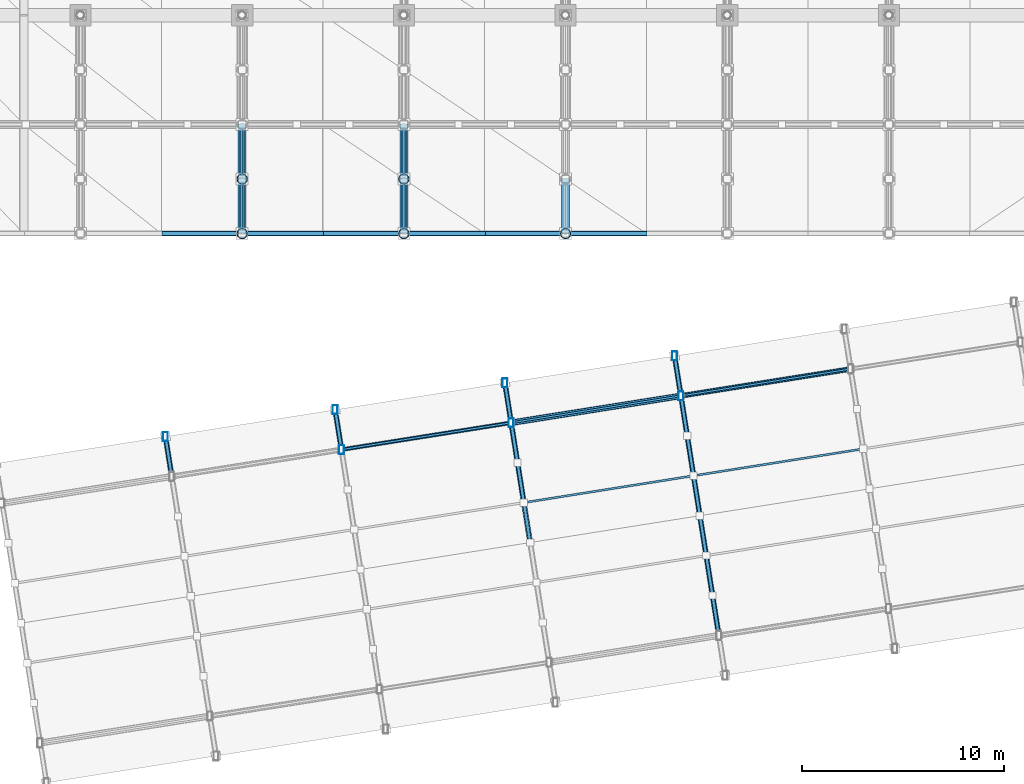
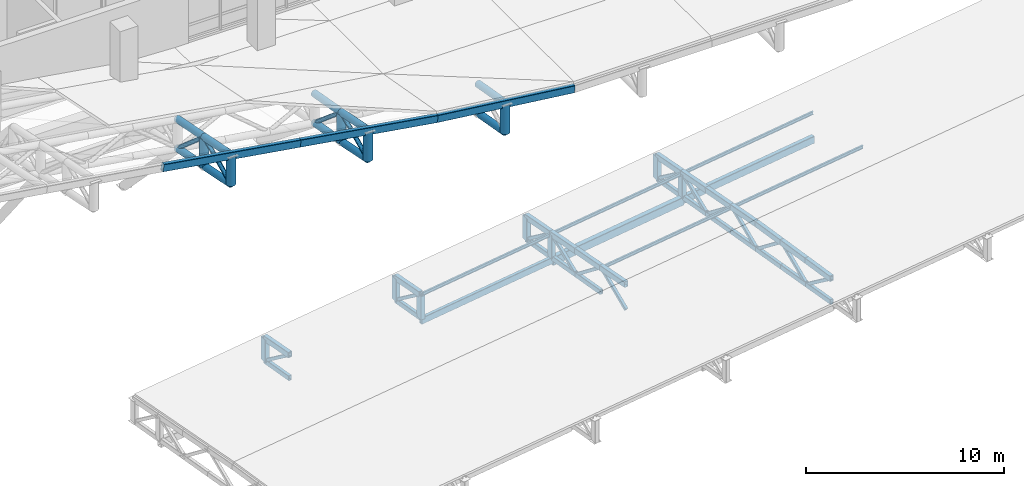
# One storey, part 20 of 137: 69 members, 6 beams.
"""IFC4 building model written with IfcOpenShell, lengths in metres."""

from ifc_helpers import new_model, si_unit, direction, frame, origin, origin_2d, place, context, subcontext, project, spatial, hollow_rectangle, hollow_circle, i_section, extrude, material, material_profile, profile_set, type_object, element, save


model = new_model("IFC4")

# Units and contexts
model_context = context("Model", 3, precision=1e-05, world=origin(), true_north=direction((0.0, 1.0)))
body_context = subcontext(model_context, "Body", "Model", "MODEL_VIEW")
ifc_project = project(units=[si_unit("LENGTHUNIT", "METRE"), si_unit("AREAUNIT", "SQUARE_METRE"), si_unit("VOLUMEUNIT", "CUBIC_METRE"), si_unit("PLANEANGLEUNIT", "RADIAN"), si_unit("MASSUNIT", "GRAM", prefix="KILO")], contexts=[model_context])

# Site, building, storey
site_placement = place(None, origin())
site = spatial("IfcSite", under=ifc_project, at=site_placement, CompositionType="ELEMENT")
building_placement = place(site_placement, origin())
building = spatial("IfcBuilding", under=site, at=building_placement, Name="Khorjan Park Terminus", CompositionType="ELEMENT")
storey_placement = place(building_placement, frame((0.0, 0.0, 11.4)))
storey = spatial("IfcBuildingStorey", under=building, at=storey_placement, Name="L02", CompositionType="ELEMENT", Elevation=11.4)

# Members
ifc_material = material(Name="Steel S355", Category="steel")
ifc_material_profile_1 = material_profile(ifc_material, hollow_rectangle(XDim=0.18, YDim=0.18, WallThickness=0.01, InnerFilletRadius=0.01, OuterFilletRadius=0.02, at=origin_2d()), Name="SHS 180x180x10")
ifc_profile_set_1 = profile_set([ifc_material_profile_1], Name="Steel S355")
member_type_1 = type_object("IfcMemberType", Name="MB-BR-SHS180E", PredefinedType="BRACE", material=ifc_profile_set_1)
member_1_placement = place(storey_placement, frame((60.5181, 3.182, -0.56), z_axis=(-0.126927587183, 0.801534728138, -0.584321373219), x_axis=(-0.987692727277, -0.156406766108, 0.0)))
element("IfcMember", 1, at=member_1_placement, inside=storey, type_object=member_type_1, Name="Arrival canopy flat truss web brace TB-S18 (2)", PredefinedType="BRACE", context=body_context, shape_type="SweptSolid", body=[
    extrude(hollow_rectangle(XDim=0.18, YDim=0.18, WallThickness=0.01, InnerFilletRadius=0.01, OuterFilletRadius=0.02, at=origin_2d()), origin(), (0.0, 0.0, 1.0), 2.4644),
])
member_2_placement = place(storey_placement, frame((68.9135, 4.5116, -0.56), z_axis=(-0.126963381588, 0.801545107028, -0.584299359178), x_axis=(-0.987686225577, -0.156447818155, 0.0)))
element("IfcMember", 2, at=member_2_placement, inside=storey, type_object=member_type_1, Name="Arrival canopy flat truss web brace TB-S18 (3)", PredefinedType="BRACE", context=body_context, shape_type="SweptSolid", body=[
    extrude(hollow_rectangle(XDim=0.18, YDim=0.18, WallThickness=0.01, InnerFilletRadius=0.01, OuterFilletRadius=0.02, at=origin_2d()), origin(), (0.0, 0.0, 1.0), 2.4645),
])
for number, where, z_axis, x_axis, name in (
    (3, (78.2474, -0.0848, -2.0), (-0.124519283718, 0.78636634609, 0.605080918324), (-0.987693950393, -0.156399042059, 0.0), "Arrival canopy flat truss web brace TB-S18 (4)"),
    (4, (77.9346, 1.8906, -0.48), (-0.124558474158, 0.786362447589, -0.605077918566), (-0.987686225577, -0.156447818155, 0.0), "Arrival canopy flat truss web brace TB-S18 (4)"),
):
    element("IfcMember", number, at=place(storey_placement, frame(where, z_axis=z_axis, x_axis=x_axis)), inside=storey, type_object=member_type_1, Name=name, PredefinedType="BRACE", context=body_context, shape_type="SweptSolid", body=[
        extrude(hollow_rectangle(XDim=0.18, YDim=0.18, WallThickness=0.01, InnerFilletRadius=0.01, OuterFilletRadius=0.02, at=origin_2d()), origin(), (0.0, 0.0, 1.0), 2.5121),
    ])
member_3_placement = place(storey_placement, frame((77.6217, 3.866, -2.0), z_axis=(-0.126967511013, 0.801530599245, 0.584318363242), x_axis=(-0.987685001707, -0.156455544492, 0.0)))
element("IfcMember", 5, at=member_3_placement, inside=storey, type_object=member_type_1, Name="Arrival canopy flat truss web brace TB-S18 (4)", PredefinedType="BRACE", context=body_context, shape_type="SweptSolid", body=[
    extrude(hollow_rectangle(XDim=0.18, YDim=0.18, WallThickness=0.01, InnerFilletRadius=0.01, OuterFilletRadius=0.02, at=origin_2d()), origin(), (0.0, 0.0, 1.0), 2.4644),
])
member_4_placement = place(storey_placement, frame((77.3088, 5.8413, -0.56), z_axis=(-0.126923459014, 0.801549235728, -0.584302368861), x_axis=(-0.987693950393, -0.156399042059, 0.0)))
element("IfcMember", 6, at=member_4_placement, inside=storey, type_object=member_type_1, Name="Arrival canopy flat truss web brace TB-S18 (4)", PredefinedType="BRACE", context=body_context, shape_type="SweptSolid", body=[
    extrude(hollow_rectangle(XDim=0.18, YDim=0.18, WallThickness=0.01, InnerFilletRadius=0.01, OuterFilletRadius=0.02, at=origin_2d()), origin(), (0.0, 0.0, 1.0), 2.4645),
])
member_5_placement = place(storey_placement, frame((87.5814, -4.6812, -0.56), z_axis=(-0.126967511013, 0.801530599245, -0.584318363242), x_axis=(-0.987685001707, -0.156455544492, 0.0)))
element("IfcMember", 7, at=member_5_placement, inside=storey, type_object=member_type_1, Name="Arrival canopy flat truss web brace TB-S18 (5)", PredefinedType="BRACE", context=body_context, shape_type="SweptSolid", body=[
    extrude(hollow_rectangle(XDim=0.18, YDim=0.18, WallThickness=0.01, InnerFilletRadius=0.01, OuterFilletRadius=0.02, at=origin_2d()), origin(), (0.0, 0.0, 1.0), 2.4644),
])
for number, where, z_axis, x_axis, name in (
    (8, (87.2685, -2.7059, -2.0), (-0.124519283718, 0.78636634609, 0.605080918324), (-0.987693950393, -0.156399042059, 0.0), "Arrival canopy flat truss web brace TB-S18 (5)"),
    (9, (86.9557, -0.7305, -0.48), (-0.124558474158, 0.786362447589, -0.605077918566), (-0.987686225577, -0.156447818155, 0.0), "Arrival canopy flat truss web brace TB-S18 (5)"),
    (10, (86.6428, 1.2449, -2.0), (-0.124558474158, 0.786362447589, 0.605077918566), (-0.987686225577, -0.156447818155, 0.0), "Arrival canopy flat truss web brace TB-S18 (5)"),
    (11, (86.3299, 3.2203, -0.48), (-0.124519283718, 0.78636634609, -0.605080918324), (-0.987693950393, -0.156399042059, 0.0), "Arrival canopy flat truss web brace TB-S18 (5)"),
):
    element("IfcMember", number, at=place(storey_placement, frame(where, z_axis=z_axis, x_axis=x_axis)), inside=storey, type_object=member_type_1, Name=name, PredefinedType="BRACE", context=body_context, shape_type="SweptSolid", body=[
        extrude(hollow_rectangle(XDim=0.18, YDim=0.18, WallThickness=0.01, InnerFilletRadius=0.01, OuterFilletRadius=0.02, at=origin_2d()), origin(), (0.0, 0.0, 1.0), 2.5121),
    ])
member_6_placement = place(storey_placement, frame((86.0171, 5.1957, -2.0), z_axis=(-0.126967511013, 0.801530599245, 0.584318363242), x_axis=(-0.987685001707, -0.156455544492, 0.0)))
element("IfcMember", 12, at=member_6_placement, inside=storey, type_object=member_type_1, Name="Arrival canopy flat truss web brace TB-S18 (5)", PredefinedType="BRACE", context=body_context, shape_type="SweptSolid", body=[
    extrude(hollow_rectangle(XDim=0.18, YDim=0.18, WallThickness=0.01, InnerFilletRadius=0.01, OuterFilletRadius=0.02, at=origin_2d()), origin(), (0.0, 0.0, 1.0), 2.4644),
])
member_7_placement = place(storey_placement, frame((85.7042, 7.171, -0.56), z_axis=(-0.126963381588, 0.801545107028, -0.584299359178), x_axis=(-0.987686225577, -0.156447818155, 0.0)))
element("IfcMember", 13, at=member_7_placement, inside=storey, type_object=member_type_1, Name="Arrival canopy flat truss web brace TB-S18 (5)", PredefinedType="BRACE", context=body_context, shape_type="SweptSolid", body=[
    extrude(hollow_rectangle(XDim=0.18, YDim=0.18, WallThickness=0.01, InnerFilletRadius=0.01, OuterFilletRadius=0.02, at=origin_2d()), origin(), (0.0, 0.0, 1.0), 2.4645),
])
ifc_material_profile_2 = material_profile(ifc_material, hollow_circle(Radius=0.1222, WallThickness=0.0125, at=origin_2d()), Name="CHS 244.5x12.5")
ifc_profile_set_2 = profile_set([ifc_material_profile_2], Name="Steel S355")
member_type_2 = type_object("IfcMemberType", Name="MB-BRE-245", PredefinedType="BRACE", material=ifc_profile_set_2)
member_8_placement = place(storey_placement, frame((64.0, 15.2, 1.4768), z_axis=(0.0, 0.906376008919, 0.422471928602), x_axis=(-1.0, 0.0, 0.0)))
element("IfcMember", 14, at=member_8_placement, inside=storey, type_object=member_type_2, Name="Lower shell cantilever truss diagonal (3S)", PredefinedType="BRACE", context=body_context, shape_type="SweptSolid", body=[
    extrude(hollow_circle(Radius=0.1222, WallThickness=0.0125, at=origin_2d()), origin(), (0.0, 0.0, 1.0), 2.9789),
])
member_9_placement = place(storey_placement, frame((64.0, 17.9, 2.7353), z_axis=(0.0, 0.755481319374, -0.655170188635), x_axis=(-1.0, 0.0, 0.0)))
element("IfcMember", 15, at=member_9_placement, inside=storey, type_object=member_type_2, Name="Lower shell cantilever truss diagonal (3S)", PredefinedType="BRACE", context=body_context, shape_type="SweptSolid", body=[
    extrude(hollow_circle(Radius=0.1222, WallThickness=0.0125, at=origin_2d()), origin(), (0.0, 0.0, 1.0), 3.5739),
])
member_10_placement = place(storey_placement, frame((72.0, 15.2, 0.1947), z_axis=(0.0, 0.906376008919, 0.422471928602), x_axis=(-1.0, 0.0, 0.0)))
element("IfcMember", 16, at=member_10_placement, inside=storey, type_object=member_type_2, Name="Lower shell cantilever truss diagonal (4S)", PredefinedType="BRACE", context=body_context, shape_type="SweptSolid", body=[
    extrude(hollow_circle(Radius=0.1222, WallThickness=0.0125, at=origin_2d()), origin(), (0.0, 0.0, 1.0), 2.9789),
])
member_11_placement = place(storey_placement, frame((72.0, 17.9, 1.4532), z_axis=(0.0, 0.763904382363, -0.645329446567), x_axis=(-1.0, 0.0, 0.0)))
element("IfcMember", 17, at=member_11_placement, inside=storey, type_object=member_type_2, Name="Lower shell cantilever truss diagonal (4S)", PredefinedType="BRACE", context=body_context, shape_type="SweptSolid", body=[
    extrude(hollow_circle(Radius=0.1222, WallThickness=0.0125, at=origin_2d()), origin(), (0.0, 0.0, 1.0), 3.5345),
])
ifc_material_profile_3 = material_profile(ifc_material, hollow_rectangle(XDim=0.2, YDim=0.3, WallThickness=0.0125, InnerFilletRadius=0.0125, OuterFilletRadius=0.025, at=origin_2d()), Name="RHS 300x200x12.5")
ifc_profile_set_3 = profile_set([ifc_material_profile_3], Name="Steel S355")
member_type_3 = type_object("IfcMemberType", Name="MB-CH-RHS300E", PredefinedType="CHORD", material=ifc_profile_set_3)
member_12_placement = place(storey_placement, frame((60.5181, 3.182, -2.0), z_axis=(-0.156406766108, 0.987692727277, 0.0), x_axis=(-0.987692727277, -0.156406766108, 0.0)))
element("IfcMember", 18, at=member_12_placement, inside=storey, type_object=member_type_3, Name="Arrival canopy flat truss bottom chord TC-R30 (2)", PredefinedType="CHORD", context=body_context, shape_type="SweptSolid", body=[
    extrude(hollow_rectangle(XDim=0.2, YDim=0.3, WallThickness=0.0125, InnerFilletRadius=0.0125, OuterFilletRadius=0.025, at=origin_2d()), origin(), (0.0, 0.0, 1.0), 1.9999),
])
for number, where, z_axis, x_axis, name in (
    (19, (68.9135, 4.5116, -2.0), (-0.156447818155, 0.987686225577, 0.0), (-0.987686225577, -0.156447818155, 0.0), "Arrival canopy flat truss bottom chord TC-R30 (3)"),
    (20, (77.9346, 1.8906, -2.0), (-0.156447818155, 0.987686225577, 0.0), (-0.987686225577, -0.156447818155, 0.0), "Arrival canopy flat truss bottom chord TC-R30 (4)"),
):
    element("IfcMember", number, at=place(storey_placement, frame(where, z_axis=z_axis, x_axis=x_axis)), inside=storey, type_object=member_type_3, Name=name, PredefinedType="CHORD", context=body_context, shape_type="SweptSolid", body=[
        extrude(hollow_rectangle(XDim=0.2, YDim=0.3, WallThickness=0.0125, InnerFilletRadius=0.0125, OuterFilletRadius=0.025, at=origin_2d()), origin(), (0.0, 0.0, 1.0), 2.0),
    ])
member_13_placement = place(storey_placement, frame((77.6217, 3.866, -2.0), z_axis=(-0.156455544492, 0.987685001707, 0.0), x_axis=(-0.987685001707, -0.156455544492, 0.0)))
element("IfcMember", 21, at=member_13_placement, inside=storey, type_object=member_type_3, Name="Arrival canopy flat truss bottom chord TC-R30 (4)", PredefinedType="CHORD", context=body_context, shape_type="SweptSolid", body=[
    extrude(hollow_rectangle(XDim=0.2, YDim=0.3, WallThickness=0.0125, InnerFilletRadius=0.0125, OuterFilletRadius=0.025, at=origin_2d()), origin(), (0.0, 0.0, 1.0), 1.9999),
])
member_14_placement = place(storey_placement, frame((77.3088, 5.8413, -2.0), z_axis=(-0.156399042059, 0.987693950393, 0.0), x_axis=(-0.987693950393, -0.156399042059, 0.0)))
element("IfcMember", 22, at=member_14_placement, inside=storey, type_object=member_type_3, Name="Arrival canopy flat truss bottom chord TC-R30 (4)", PredefinedType="CHORD", context=body_context, shape_type="SweptSolid", body=[
    extrude(hollow_rectangle(XDim=0.2, YDim=0.3, WallThickness=0.0125, InnerFilletRadius=0.0125, OuterFilletRadius=0.025, at=origin_2d()), origin(), (0.0, 0.0, 1.0), 2.0),
])
member_15_placement = place(storey_placement, frame((87.5814, -4.6812, -2.0), z_axis=(-0.156455544492, 0.987685001707, 0.0), x_axis=(-0.987685001707, -0.156455544492, 0.0)))
element("IfcMember", 23, at=member_15_placement, inside=storey, type_object=member_type_3, Name="Arrival canopy flat truss bottom chord TC-R30 (5)", PredefinedType="CHORD", context=body_context, shape_type="SweptSolid", body=[
    extrude(hollow_rectangle(XDim=0.2, YDim=0.3, WallThickness=0.0125, InnerFilletRadius=0.0125, OuterFilletRadius=0.025, at=origin_2d()), origin(), (0.0, 0.0, 1.0), 1.9999),
])
for number, where, z_axis, x_axis, name in (
    (24, (87.2685, -2.7059, -2.0), (-0.156399042059, 0.987693950393, 0.0), (-0.987693950393, -0.156399042059, 0.0), "Arrival canopy flat truss bottom chord TC-R30 (5)"),
    (25, (86.9557, -0.7305, -2.0), (-0.156447818155, 0.987686225577, 0.0), (-0.987686225577, -0.156447818155, 0.0), "Arrival canopy flat truss bottom chord TC-R30 (5)"),
    (26, (86.6428, 1.2449, -2.0), (-0.156447818155, 0.987686225577, 0.0), (-0.987686225577, -0.156447818155, 0.0), "Arrival canopy flat truss bottom chord TC-R30 (5)"),
    (27, (86.3299, 3.2203, -2.0), (-0.156399042059, 0.987693950393, 0.0), (-0.987693950393, -0.156399042059, 0.0), "Arrival canopy flat truss bottom chord TC-R30 (5)"),
):
    element("IfcMember", number, at=place(storey_placement, frame(where, z_axis=z_axis, x_axis=x_axis)), inside=storey, type_object=member_type_3, Name=name, PredefinedType="CHORD", context=body_context, shape_type="SweptSolid", body=[
        extrude(hollow_rectangle(XDim=0.2, YDim=0.3, WallThickness=0.0125, InnerFilletRadius=0.0125, OuterFilletRadius=0.025, at=origin_2d()), origin(), (0.0, 0.0, 1.0), 2.0),
    ])
member_16_placement = place(storey_placement, frame((86.0171, 5.1957, -2.0), z_axis=(-0.156455544492, 0.987685001707, 0.0), x_axis=(-0.987685001707, -0.156455544492, 0.0)))
element("IfcMember", 28, at=member_16_placement, inside=storey, type_object=member_type_3, Name="Arrival canopy flat truss bottom chord TC-R30 (5)", PredefinedType="CHORD", context=body_context, shape_type="SweptSolid", body=[
    extrude(hollow_rectangle(XDim=0.2, YDim=0.3, WallThickness=0.0125, InnerFilletRadius=0.0125, OuterFilletRadius=0.025, at=origin_2d()), origin(), (0.0, 0.0, 1.0), 1.9999),
])
member_17_placement = place(storey_placement, frame((85.7042, 7.171, -2.0), z_axis=(-0.156447818155, 0.987686225577, 0.0), x_axis=(-0.987686225577, -0.156447818155, 0.0)))
element("IfcMember", 29, at=member_17_placement, inside=storey, type_object=member_type_3, Name="Arrival canopy flat truss bottom chord TC-R30 (5)", PredefinedType="CHORD", context=body_context, shape_type="SweptSolid", body=[
    extrude(hollow_rectangle(XDim=0.2, YDim=0.3, WallThickness=0.0125, InnerFilletRadius=0.0125, OuterFilletRadius=0.025, at=origin_2d()), origin(), (0.0, 0.0, 1.0), 2.0),
])
ifc_material_profile_4 = material_profile(ifc_material, hollow_rectangle(XDim=0.25, YDim=0.35, WallThickness=0.0125, InnerFilletRadius=0.0125, OuterFilletRadius=0.025, at=origin_2d()), Name="RHS 350x250x12.5")
ifc_profile_set_4 = profile_set([ifc_material_profile_4], Name="Steel S355")
member_type_4 = type_object("IfcMemberType", Name="MB-CH-RHS350E", PredefinedType="CHORD", material=ifc_profile_set_4)
member_18_placement = place(storey_placement, frame((60.5181, 3.182, -0.56), z_axis=(-0.156375491431, 0.987495230892, -0.019996865912), x_axis=(-0.987692727277, -0.156406766108, 0.0)))
element("IfcMember", 30, at=member_18_placement, inside=storey, type_object=member_type_4, Name="Arrival canopy flat truss top chord TC-R35 (2)", PredefinedType="CHORD", context=body_context, shape_type="SweptSolid", body=[
    extrude(hollow_rectangle(XDim=0.25, YDim=0.35, WallThickness=0.0125, InnerFilletRadius=0.0125, OuterFilletRadius=0.025, at=origin_2d()), origin(), (0.0, 0.0, 1.0), 2.0003),
])
for number, where, z_axis, x_axis, name in (
    (31, (68.9135, 4.5116, -0.56), (-0.156416538847, 0.98748875308, -0.019995722448), (-0.987686225577, -0.156447818155, 0.0), "Arrival canopy flat truss top chord TC-R35 (3)"),
    (32, (78.2474, -0.0848, -0.44), (-0.156367772014, 0.987496473263, -0.019995878774), (-0.987693950393, -0.156399042059, 0.0), "Arrival canopy flat truss top chord TC-R35 (4)"),
    (33, (77.9346, 1.8906, -0.48), (-0.156416538847, 0.98748875308, -0.019995722448), (-0.987686225577, -0.156447818155, 0.0), "Arrival canopy flat truss top chord TC-R35 (4)"),
):
    element("IfcMember", number, at=place(storey_placement, frame(where, z_axis=z_axis, x_axis=x_axis)), inside=storey, type_object=member_type_4, Name=name, PredefinedType="CHORD", context=body_context, shape_type="SweptSolid", body=[
        extrude(hollow_rectangle(XDim=0.25, YDim=0.35, WallThickness=0.0125, InnerFilletRadius=0.0125, OuterFilletRadius=0.025, at=origin_2d()), origin(), (0.0, 0.0, 1.0), 2.0004),
    ])
member_19_placement = place(storey_placement, frame((77.6217, 3.866, -0.52), z_axis=(-0.15642426055, 0.987487509955, -0.019996709562), x_axis=(-0.987685001707, -0.156455544492, 0.0)))
element("IfcMember", 34, at=member_19_placement, inside=storey, type_object=member_type_4, Name="Arrival canopy flat truss top chord TC-R35 (4)", PredefinedType="CHORD", context=body_context, shape_type="SweptSolid", body=[
    extrude(hollow_rectangle(XDim=0.25, YDim=0.35, WallThickness=0.0125, InnerFilletRadius=0.0125, OuterFilletRadius=0.025, at=origin_2d()), origin(), (0.0, 0.0, 1.0), 2.0003),
])
member_20_placement = place(storey_placement, frame((77.3088, 5.8413, -0.56), z_axis=(-0.156367772014, 0.987496473263, -0.019995878774), x_axis=(-0.987693950393, -0.156399042059, 0.0)))
element("IfcMember", 35, at=member_20_placement, inside=storey, type_object=member_type_4, Name="Arrival canopy flat truss top chord TC-R35 (4)", PredefinedType="CHORD", context=body_context, shape_type="SweptSolid", body=[
    extrude(hollow_rectangle(XDim=0.25, YDim=0.35, WallThickness=0.0125, InnerFilletRadius=0.0125, OuterFilletRadius=0.025, at=origin_2d()), origin(), (0.0, 0.0, 1.0), 2.0004),
])
member_21_placement = place(storey_placement, frame((87.5814, -4.6812, -0.56), z_axis=(-0.15642426055, 0.987487509955, 0.019996709562), x_axis=(-0.987685001707, -0.156455544492, 0.0)))
element("IfcMember", 36, at=member_21_placement, inside=storey, type_object=member_type_4, Name="Arrival canopy flat truss top chord TC-R35 (5)", PredefinedType="CHORD", context=body_context, shape_type="SweptSolid", body=[
    extrude(hollow_rectangle(XDim=0.25, YDim=0.35, WallThickness=0.0125, InnerFilletRadius=0.0125, OuterFilletRadius=0.025, at=origin_2d()), origin(), (0.0, 0.0, 1.0), 2.0003),
])
for number, where, z_axis, x_axis, name in (
    (37, (87.2685, -2.7059, -0.52), (-0.156367772014, 0.987496473263, 0.019995878774), (-0.987693950393, -0.156399042059, 0.0), "Arrival canopy flat truss top chord TC-R35 (5)"),
    (38, (86.9557, -0.7305, -0.48), (-0.156416538847, 0.98748875308, 0.019995722448), (-0.987686225577, -0.156447818155, 0.0), "Arrival canopy flat truss top chord TC-R35 (5)"),
    (39, (86.6428, 1.2449, -0.44), (-0.156416538847, 0.98748875308, -0.019995722448), (-0.987686225577, -0.156447818155, 0.0), "Arrival canopy flat truss top chord TC-R35 (5)"),
    (40, (86.3299, 3.2203, -0.48), (-0.156367772014, 0.987496473263, -0.019995878774), (-0.987693950393, -0.156399042059, 0.0), "Arrival canopy flat truss top chord TC-R35 (5)"),
):
    element("IfcMember", number, at=place(storey_placement, frame(where, z_axis=z_axis, x_axis=x_axis)), inside=storey, type_object=member_type_4, Name=name, PredefinedType="CHORD", context=body_context, shape_type="SweptSolid", body=[
        extrude(hollow_rectangle(XDim=0.25, YDim=0.35, WallThickness=0.0125, InnerFilletRadius=0.0125, OuterFilletRadius=0.025, at=origin_2d()), origin(), (0.0, 0.0, 1.0), 2.0004),
    ])
member_22_placement = place(storey_placement, frame((86.0171, 5.1957, -0.52), z_axis=(-0.15642426055, 0.987487509955, -0.019996709562), x_axis=(-0.987685001707, -0.156455544492, 0.0)))
element("IfcMember", 41, at=member_22_placement, inside=storey, type_object=member_type_4, Name="Arrival canopy flat truss top chord TC-R35 (5)", PredefinedType="CHORD", context=body_context, shape_type="SweptSolid", body=[
    extrude(hollow_rectangle(XDim=0.25, YDim=0.35, WallThickness=0.0125, InnerFilletRadius=0.0125, OuterFilletRadius=0.025, at=origin_2d()), origin(), (0.0, 0.0, 1.0), 2.0003),
])
member_23_placement = place(storey_placement, frame((85.7042, 7.171, -0.56), z_axis=(-0.156416538847, 0.98748875308, -0.019995722448), x_axis=(-0.987686225577, -0.156447818155, 0.0)))
element("IfcMember", 42, at=member_23_placement, inside=storey, type_object=member_type_4, Name="Arrival canopy flat truss top chord TC-R35 (5)", PredefinedType="CHORD", context=body_context, shape_type="SweptSolid", body=[
    extrude(hollow_rectangle(XDim=0.25, YDim=0.35, WallThickness=0.0125, InnerFilletRadius=0.0125, OuterFilletRadius=0.025, at=origin_2d()), origin(), (0.0, 0.0, 1.0), 2.0004),
])
ifc_material_profile_5 = material_profile(ifc_material, hollow_circle(Radius=0.2032, WallThickness=0.016, at=origin_2d()), Name="CHS 406.4x16")
ifc_profile_set_5 = profile_set([ifc_material_profile_5], Name="Steel S355")
member_type_5 = type_object("IfcMemberType", Name="MB-CHE-406", PredefinedType="CHORD", material=ifc_profile_set_5)
for number, where, z_axis, x_axis, name in (
    (43, (64.0, 15.2, 3.2768), (0.0, 0.980475784127, -0.196639865594), (-1.0, 0.0, 0.0), "Lower shell cantilever truss top chord (3S)"),
    (44, (64.0, 15.2, 1.4768), (0.0, 0.980475784127, -0.196639865594), (-1.0, 0.0, 0.0), "Lower shell cantilever truss bottom chord (3S)"),
    (45, (64.0, 17.9, 2.7353), (0.0, 0.980475784127, -0.196639865594), (-1.0, 0.0, 0.0), "Lower shell cantilever truss top chord (3S)"),
    (46, (64.0, 17.9, 0.9353), (0.0, 0.980475784127, -0.196639865594), (-1.0, 0.0, 0.0), "Lower shell cantilever truss bottom chord (3S)"),
    (47, (72.0, 15.2, 1.9947), (0.0, 0.980475784127, -0.196639865594), (-1.0, 0.0, 0.0), "Lower shell cantilever truss top chord (4S)"),
    (48, (72.0, 15.2, 0.1947), (0.0, 0.980475784127, -0.196639865594), (-1.0, 0.0, 0.0), "Lower shell cantilever truss bottom chord (4S)"),
):
    element("IfcMember", number, at=place(storey_placement, frame(where, z_axis=z_axis, x_axis=x_axis)), inside=storey, type_object=member_type_5, Name=name, PredefinedType="CHORD", context=body_context, shape_type="SweptSolid", body=[
        extrude(hollow_circle(Radius=0.2032, WallThickness=0.016, at=origin_2d()), origin(), (0.0, 0.0, 1.0), 2.7538),
    ])
for number, where, z_axis, x_axis, name in (
    (49, (72.0, 17.9, 1.4532), (0.0, 0.98450590268, -0.175351440222), (-1.0, 0.0, 0.0), "Lower shell cantilever truss top chord (4S)"),
    (50, (72.0, 17.9, -0.3468), (0.0, 0.98450590268, -0.175351440222), (-1.0, 0.0, 0.0), "Lower shell cantilever truss bottom chord (4S)"),
    (51, (80.0, 15.2, 0.8728), (0.0, 0.98451219689, -0.175316097876), (-1.0, 0.0, 0.0), "Lower shell cantilever truss top chord (5S)"),
    (52, (80.0, 15.2, -0.9272), (0.0, 0.98451219689, -0.175316097876), (-1.0, 0.0, 0.0), "Lower shell cantilever truss bottom chord (5S)"),
):
    element("IfcMember", number, at=place(storey_placement, frame(where, z_axis=z_axis, x_axis=x_axis)), inside=storey, type_object=member_type_5, Name=name, PredefinedType="CHORD", context=body_context, shape_type="SweptSolid", body=[
        extrude(hollow_circle(Radius=0.2032, WallThickness=0.016, at=origin_2d()), origin(), (0.0, 0.0, 1.0), 2.7425),
    ])
ifc_material_profile_6 = material_profile(ifc_material, i_section(OverallWidth=0.1, OverallDepth=0.2, WebThickness=0.0056, FlangeThickness=0.0085, FilletRadius=0.012, at=origin_2d()), Name="IPE 200")
ifc_profile_set_6 = profile_set([ifc_material_profile_6], Name="Steel S355")
member_type_6 = type_object("IfcMemberType", Name="MB-PRE-IPE200", PredefinedType="PURLIN", material=ifc_profile_set_6)
for number, where, z_axis, x_axis, name in (
    (53, (68.9135, 4.5116, -0.61), (0.987688065964, 0.156436198982, 0.0), (-0.156436198982, 0.987688065964, 0.0), "Arrival canopy roof purlin PRE-20 (3)"),
    (54, (77.9346, 1.8906, -0.53), (0.987688065964, 0.156436198982, 0.0), (-0.156436198982, 0.987688065964, 0.0), "Arrival canopy roof purlin PRE-20 (4)"),
    (55, (77.3088, 5.8413, -0.61), (0.98768835387, 0.156434381226, 0.0), (-0.156434381226, 0.98768835387, 0.0), "Arrival canopy roof purlin PRE-20 (4)"),
    (56, (86.3299, 3.2203, -0.53), (0.98768835387, 0.156434381226, 0.0), (-0.156434381226, 0.98768835387, 0.0), "Arrival canopy roof purlin PRE-20 (5)"),
    (57, (85.7042, 7.171, -0.61), (0.987688065964, 0.156436198982, 0.0), (-0.156436198982, 0.987688065964, 0.0), "Arrival canopy roof purlin PRE-20 (5)"),
):
    element("IfcMember", number, at=place(storey_placement, frame(where, z_axis=z_axis, x_axis=x_axis)), inside=storey, type_object=member_type_6, Name=name, PredefinedType="PURLIN", context=body_context, shape_type="SweptSolid", body=[
        extrude(i_section(OverallWidth=0.1, OverallDepth=0.2, WebThickness=0.0056, FlangeThickness=0.0085, FilletRadius=0.012, at=origin_2d()), origin(), (0.0, 0.0, 1.0), 8.5),
    ])
ifc_material_profile_7 = material_profile(ifc_material, hollow_circle(Radius=0.254, WallThickness=0.02, at=origin_2d()), Name="CHS 508x20")
ifc_profile_set_7 = profile_set([ifc_material_profile_7], Name="Steel S355")
member_type_7 = type_object("IfcMemberType", Name="MB-STE-508", PredefinedType="STRUT", material=ifc_profile_set_7)
for number, where, z_axis, x_axis, name in (
    (58, (64.0, 15.2, 1.4768), (0.0, 0.0, 1.0), (1.0, 0.0, 0.0), "Lower shell cantilever truss post (3S)"),
    (59, (64.0, 17.9, 0.9353), (0.0, 0.0, 1.0), (1.0, 0.0, 0.0), "Lower shell cantilever truss post (3S)"),
    (60, (72.0, 15.2, 0.1947), (0.0, 0.0, 1.0), (1.0, 0.0, 0.0), "Lower shell cantilever truss post (4S)"),
    (61, (72.0, 17.9, -0.3468), (0.0, 0.0, 1.0), (1.0, 0.0, 0.0), "Lower shell cantilever truss post (4S)"),
    (62, (80.0, 15.2, -0.9272), (0.0, 0.0, 1.0), (1.0, 0.0, 0.0), "Lower shell cantilever truss post (5S)"),
):
    element("IfcMember", number, at=place(storey_placement, frame(where, z_axis=z_axis, x_axis=x_axis)), inside=storey, type_object=member_type_7, Name=name, PredefinedType="STRUT", context=body_context, shape_type="SweptSolid", body=[
        extrude(hollow_circle(Radius=0.254, WallThickness=0.02, at=origin_2d()), origin(), (0.0, 0.0, 1.0), 1.8),
    ])
ifc_material_profile_8 = material_profile(ifc_material, hollow_rectangle(XDim=0.25, YDim=0.45, WallThickness=0.016, InnerFilletRadius=0.016, OuterFilletRadius=0.032, at=origin_2d()), Name="RHS 450x250x16")
ifc_profile_set_8 = profile_set([ifc_material_profile_8], Name="Steel S355")
member_type_8 = type_object("IfcMemberType", Name="MB-STE-RHS250", PredefinedType="STRUT", material=ifc_profile_set_8)
member_24_placement = place(storey_placement, frame((60.2053, 5.1573, -2.0), z_axis=(0.0, 0.0, 1.0), x_axis=(1.0, 0.0, 0.0)))
element("IfcMember", 63, at=member_24_placement, inside=storey, type_object=member_type_8, Name="Arrival canopy truss post STE-R25 (2N)", PredefinedType="STRUT", context=body_context, shape_type="SweptSolid", body=[
    extrude(hollow_rectangle(XDim=0.25, YDim=0.45, WallThickness=0.016, InnerFilletRadius=0.016, OuterFilletRadius=0.032, at=origin_2d()), origin(), (0.0, 0.0, 1.0), 1.4),
])
member_25_placement = place(storey_placement, frame((68.9135, 4.5116, -2.0), z_axis=(0.0, 0.0, 1.0), x_axis=(1.0, 0.0, 0.0)))
element("IfcMember", 64, at=member_25_placement, inside=storey, type_object=member_type_8, Name="Arrival canopy truss post STE-R25 (3CN)", PredefinedType="STRUT", context=body_context, shape_type="SweptSolid", body=[
    extrude(hollow_rectangle(XDim=0.25, YDim=0.45, WallThickness=0.016, InnerFilletRadius=0.016, OuterFilletRadius=0.032, at=origin_2d()), origin(), (0.0, 0.0, 1.0), 1.44),
])
member_26_placement = place(storey_placement, frame((68.6006, 6.487, -2.0), z_axis=(0.0, 0.0, 1.0), x_axis=(1.0, 0.0, 0.0)))
element("IfcMember", 65, at=member_26_placement, inside=storey, type_object=member_type_8, Name="Arrival canopy truss post STE-R25 (3N)", PredefinedType="STRUT", context=body_context, shape_type="SweptSolid", body=[
    extrude(hollow_rectangle(XDim=0.25, YDim=0.45, WallThickness=0.016, InnerFilletRadius=0.016, OuterFilletRadius=0.032, at=origin_2d()), origin(), (0.0, 0.0, 1.0), 1.4),
])
member_27_placement = place(storey_placement, frame((77.3088, 5.8413, -2.0), z_axis=(0.0, 0.0, 1.0), x_axis=(1.0, 0.0, 0.0)))
element("IfcMember", 66, at=member_27_placement, inside=storey, type_object=member_type_8, Name="Arrival canopy truss post STE-R25 (4CN)", PredefinedType="STRUT", context=body_context, shape_type="SweptSolid", body=[
    extrude(hollow_rectangle(XDim=0.25, YDim=0.45, WallThickness=0.016, InnerFilletRadius=0.016, OuterFilletRadius=0.032, at=origin_2d()), origin(), (0.0, 0.0, 1.0), 1.44),
])
member_28_placement = place(storey_placement, frame((76.996, 7.8167, -2.0), z_axis=(0.0, 0.0, 1.0), x_axis=(1.0, 0.0, 0.0)))
element("IfcMember", 67, at=member_28_placement, inside=storey, type_object=member_type_8, Name="Arrival canopy truss post STE-R25 (4N)", PredefinedType="STRUT", context=body_context, shape_type="SweptSolid", body=[
    extrude(hollow_rectangle(XDim=0.25, YDim=0.45, WallThickness=0.016, InnerFilletRadius=0.016, OuterFilletRadius=0.032, at=origin_2d()), origin(), (0.0, 0.0, 1.0), 1.4),
])
member_29_placement = place(storey_placement, frame((85.7042, 7.171, -2.0), z_axis=(0.0, 0.0, 1.0), x_axis=(1.0, 0.0, 0.0)))
element("IfcMember", 68, at=member_29_placement, inside=storey, type_object=member_type_8, Name="Arrival canopy truss post STE-R25 (5CN)", PredefinedType="STRUT", context=body_context, shape_type="SweptSolid", body=[
    extrude(hollow_rectangle(XDim=0.25, YDim=0.45, WallThickness=0.016, InnerFilletRadius=0.016, OuterFilletRadius=0.032, at=origin_2d()), origin(), (0.0, 0.0, 1.0), 1.44),
])
member_30_placement = place(storey_placement, frame((85.3913, 9.1464, -2.0), z_axis=(0.0, 0.0, 1.0), x_axis=(1.0, 0.0, 0.0)))
element("IfcMember", 69, at=member_30_placement, inside=storey, type_object=member_type_8, Name="Arrival canopy truss post STE-R25 (5N)", PredefinedType="STRUT", context=body_context, shape_type="SweptSolid", body=[
    extrude(hollow_rectangle(XDim=0.25, YDim=0.45, WallThickness=0.016, InnerFilletRadius=0.016, OuterFilletRadius=0.032, at=origin_2d()), origin(), (0.0, 0.0, 1.0), 1.4),
])

# Beams
ifc_material_profile_9 = material_profile(ifc_material, hollow_rectangle(XDim=0.2, YDim=0.4, WallThickness=0.0125, InnerFilletRadius=0.0125, OuterFilletRadius=0.025, at=origin_2d()), Name="RHS 400x200x12.5")
ifc_profile_set_9 = profile_set([ifc_material_profile_9], Name="Steel S355")
beam_type_1 = type_object("IfcBeamType", Name="SP-RHS400", PredefinedType="SPANDREL", material=ifc_profile_set_9)
beam_1_placement = place(storey_placement, frame((68.9135, 4.5116, -2.2), z_axis=(0.987688065964, 0.156436198982, 0.0), x_axis=(-0.156436198982, 0.987688065964, 0.0)))
element("IfcBeam", 70, at=beam_1_placement, inside=storey, type_object=beam_type_1, Name="Arrival canopy tie beam SP-R40 (N3)", PredefinedType="SPANDREL", context=body_context, shape_type="SweptSolid", body=[
    extrude(hollow_rectangle(XDim=0.2, YDim=0.4, WallThickness=0.0125, InnerFilletRadius=0.0125, OuterFilletRadius=0.025, at=origin_2d()), origin(), (0.0, 0.0, 1.0), 8.5),
])
ifc_material_profile_10 = material_profile(ifc_material, hollow_rectangle(XDim=0.25, YDim=0.45, WallThickness=0.016, InnerFilletRadius=0.016, OuterFilletRadius=0.032, at=origin_2d()), Name="RHS 450x250x16")
ifc_profile_set_10 = profile_set([ifc_material_profile_10], Name="Steel S355")
beam_type_2 = type_object("IfcBeamType", Name="SP-RHS450", PredefinedType="SPANDREL", material=ifc_profile_set_10)
for number, where, z_axis, x_axis, name in (
    (71, (60.0, 15.2, 3.8959), (0.987398235344, 0.0, -0.15825525217), (0.0, 1.0, 0.0), "Lower wrapping shell upturned edge beam SP-R45 (5)"),
    (72, (68.0, 15.2, 2.6137), (0.987400163922, 0.0, -0.158243218771), (0.0, 1.0, 0.0), "Lower wrapping shell upturned edge beam SP-R45 (6)"),
):
    element("IfcBeam", number, at=place(storey_placement, frame(where, z_axis=z_axis, x_axis=x_axis)), inside=storey, type_object=beam_type_2, Name=name, PredefinedType="SPANDREL", context=body_context, shape_type="SweptSolid", body=[
        extrude(hollow_rectangle(XDim=0.25, YDim=0.45, WallThickness=0.016, InnerFilletRadius=0.016, OuterFilletRadius=0.032, at=origin_2d()), origin(), (0.0, 0.0, 1.0), 8.1021),
    ])
beam_2_placement = place(storey_placement, frame((76.0, 15.2, 1.3316), z_axis=(0.992853328969, 0.0, -0.119340970142), x_axis=(0.0, 1.0, 0.0)))
element("IfcBeam", 73, at=beam_2_placement, inside=storey, type_object=beam_type_2, Name="Lower wrapping shell upturned edge beam SP-R45 (7)", PredefinedType="SPANDREL", context=body_context, shape_type="SweptSolid", body=[
    extrude(hollow_rectangle(XDim=0.25, YDim=0.45, WallThickness=0.016, InnerFilletRadius=0.016, OuterFilletRadius=0.032, at=origin_2d()), origin(), (0.0, 0.0, 1.0), 8.0576),
])
beam_3_placement = place(storey_placement, frame((85.7042, 7.171, -2.225), z_axis=(0.987688065964, 0.156436198982, 0.0), x_axis=(-0.156436198982, 0.987688065964, 0.0)))
element("IfcBeam", 74, at=beam_3_placement, inside=storey, type_object=beam_type_2, Name="Arrival canopy tie beam SP-R45 (N5)", PredefinedType="SPANDREL", context=body_context, shape_type="SweptSolid", body=[
    extrude(hollow_rectangle(XDim=0.25, YDim=0.45, WallThickness=0.016, InnerFilletRadius=0.016, OuterFilletRadius=0.032, at=origin_2d()), origin(), (0.0, 0.0, 1.0), 8.5),
])
ifc_material_profile_11 = material_profile(ifc_material, hollow_rectangle(XDim=0.3, YDim=0.5, WallThickness=0.016, InnerFilletRadius=0.016, OuterFilletRadius=0.032, at=origin_2d()), Name="RHS 500x300x16")
ifc_profile_set_11 = profile_set([ifc_material_profile_11], Name="Steel S355")
beam_type_3 = type_object("IfcBeamType", Name="SP-RHS500", PredefinedType="SPANDREL", material=ifc_profile_set_11)
beam_4_placement = place(storey_placement, frame((77.3088, 5.8413, -2.25), z_axis=(0.98768835387, 0.156434381226, 0.0), x_axis=(-0.156434381226, 0.98768835387, 0.0)))
element("IfcBeam", 75, at=beam_4_placement, inside=storey, type_object=beam_type_3, Name="Arrival canopy tie beam SP-R50 (N4)", PredefinedType="SPANDREL", context=body_context, shape_type="SweptSolid", body=[
    extrude(hollow_rectangle(XDim=0.3, YDim=0.5, WallThickness=0.016, InnerFilletRadius=0.016, OuterFilletRadius=0.032, at=origin_2d()), origin(), (0.0, 0.0, 1.0), 8.5),
])

save(model, "model.ifc")
